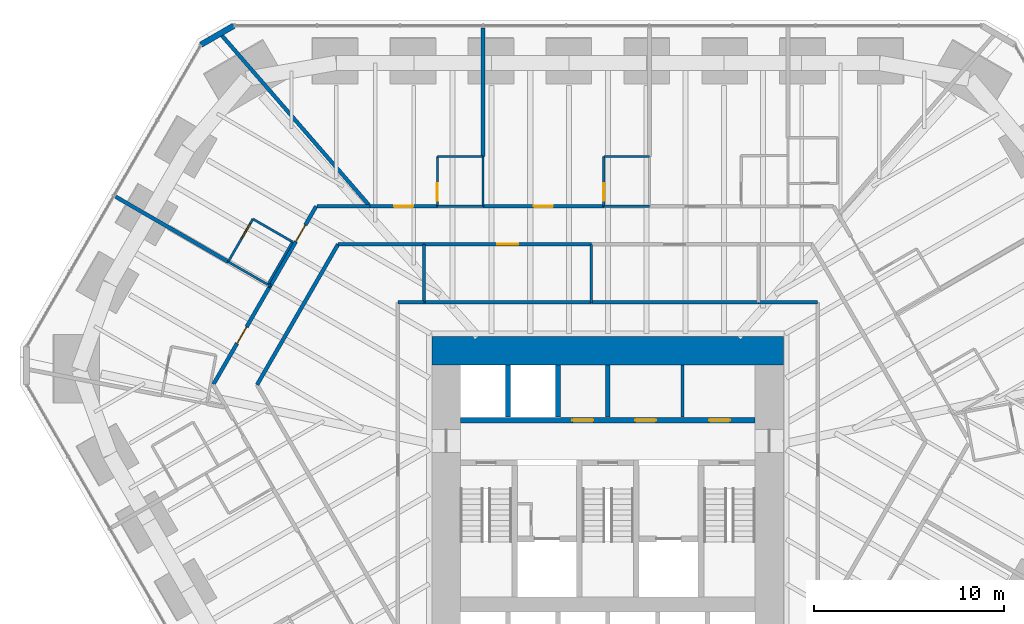
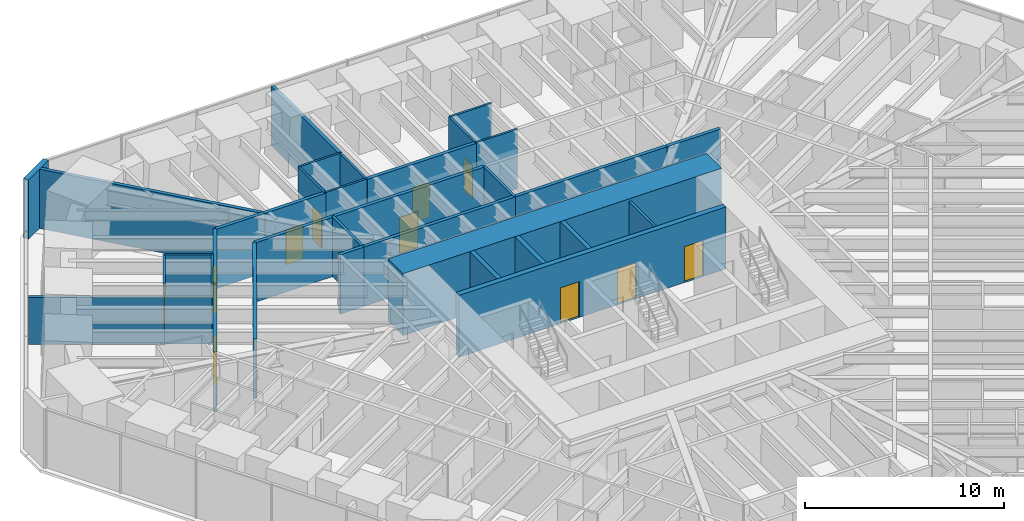
# One storey, part 14 of 17: 36 walls, 11 doors, 11 openings.
"""IFC4 building model written with IfcOpenShell, lengths in metres."""

from ifc_helpers import new_model, si_unit, direction, frame, frame_2d, origin, place, context, subcontext, project, spatial, rectangle, extrude, material, layer, layer_set, type_object, element, fill, save


model = new_model("IFC4")

# Units and contexts
model_context = context("Model", 3, precision=1e-05, world=origin(), true_north=direction((0.0, 1.0)))
body_context = subcontext(model_context, "Body", "Model", "MODEL_VIEW")
ifc_project = project(units=[si_unit("LENGTHUNIT", "METRE"), si_unit("AREAUNIT", "SQUARE_METRE"), si_unit("VOLUMEUNIT", "CUBIC_METRE"), si_unit("PLANEANGLEUNIT", "RADIAN"), si_unit("MASSUNIT", "GRAM", prefix="KILO")], contexts=[model_context])

# Site, building, storey
site_placement = place(None, origin())
site = spatial("IfcSite", under=ifc_project, at=site_placement, CompositionType="ELEMENT")
building_placement = place(site_placement, origin())
building = spatial("IfcBuilding", under=site, at=building_placement, Name="Sandreach Pilgrim Tower", CompositionType="ELEMENT")
storey_placement = place(building_placement, frame((0.0, 0.0, 72.39990234375)))
storey = spatial("IfcBuildingStorey", under=building, at=storey_placement, Name="L17", CompositionType="ELEMENT", Elevation=72.39990234375)

# Walls
ifc_material_1 = material(Name="Gypsum board on steel studs", Category="steel")
ifc_layer_1 = layer(ifc_material_1, 0.14990234375)
ifc_layer_set_1 = layer_set([ifc_layer_1], Name="Back of house wall 150")
wall_type_1 = type_object("IfcWallType", Name="Back of house wall 150", PredefinedType="PARTITIONING", material=ifc_layer_set_1)
for number, where, z_axis, x_axis, name in (
    (1, (-9.659912109375, 12.449951171875, 0.0), (0.0, 0.0, 1.0), (0.0, -1.0, 0.0), "Back of house wall L17-047"),
    (2, (-0.8701171875, 12.449951171875, 0.0), (0.0, 0.0, 1.0), (0.0, -1.0, 0.0), "Back of house wall L17-064"),
):
    element("IfcWall", number, at=place(storey_placement, frame(where, z_axis=z_axis, x_axis=x_axis)), inside=storey, type_object=wall_type_1, Name=name, PredefinedType="PARTITIONING", context=body_context, shape_type="SweptSolid", body=[
        extrude(rectangle(XDim=3.050048828125, YDim=0.14990234375, at=frame_2d((1.52490234375, 0.0))), origin(), (0.0, 0.0, 1.0), 3.64013671875),
    ])
wall_1_placement = place(storey_placement, frame((3.9375, 3.35009765625, 0.0), z_axis=(0.0, 0.0, 1.0), x_axis=(0.0, 1.0, 0.0)))
element("IfcWall", 3, at=wall_1_placement, inside=storey, type_object=wall_type_1, Name="Core room partition L17 1", PredefinedType="PARTITIONING", context=body_context, shape_type="SweptSolid", body=[
    extrude(rectangle(XDim=2.75, YDim=0.14990234375, at=frame_2d((1.375, 0.0))), origin(), (0.0, 0.0, 1.0), 3.64013671875),
])
ifc_material_2 = material(Name="Moisture-resistant gypsum board on steel studs", Category="steel")
ifc_layer_2 = layer(ifc_material_2, 0.1201171875)
ifc_layer_set_2 = layer_set([ifc_layer_2], Name="Bathroom partition 120")
wall_type_2 = type_object("IfcWallType", Name="Bathroom partition 120", PredefinedType="PARTITIONING", material=ifc_layer_set_2)
wall_2_placement = place(storey_placement, frame((-19.969970703125, 11.530029296875, 0.0), z_axis=(0.0, 0.0, 1.0), x_axis=(0.866177122335, -0.499737123639, 0.0)))
element("IfcWall", 4, at=wall_2_placement, inside=storey, type_object=wall_type_2, Name="Bathroom partition L17-020", PredefinedType="PARTITIONING", context=body_context, shape_type="SweptSolid", body=[
    extrude(rectangle(XDim=2.401123046875, YDim=0.1201171875, at=frame_2d((1.20068359375, 0.0))), origin(), (0.0, 0.0, 1.0), 2.8603515625),
])

# Wall, opening, door
wall_3_placement = place(storey_placement, frame((-18.669921875, 13.780029296875, 0.0), z_axis=(0.0, 0.0, 1.0), x_axis=(-0.500291685314, -0.865856933682, 0.0)))
wall_3 = element("IfcWall", 5, at=wall_3_placement, inside=storey, type_object=wall_type_2, Name="Bathroom partition L17-023", PredefinedType="PARTITIONING", context=body_context, shape_type="SweptSolid", body=[
    extrude(rectangle(XDim=2.5986328125, YDim=0.1201171875, at=frame_2d((1.29931640625, 0.0))), origin(), (0.0, 0.0, 1.0), 3.64013671875),
])
opening_1_placement = place(wall_3_placement, frame((0.300048828125, 0.0, 0.0)))
opening_1 = element("IfcOpeningElement", 6, at=opening_1_placement, cuts=wall_3, Name="Opening D09-18B", PredefinedType="OPENING", context=body_context, shape_type="SweptSolid", body=[
    extrude(rectangle(XDim=0.89990234375, YDim=2.030029296875, at=frame_2d((0.449951171875, 1.01513671875))), frame((0.0, 0.06005859375, 0.0), z_axis=(0.0, -1.0, 0.0), x_axis=(1.0, 0.0, 0.0)), (0.0, 0.0, 1.0), 0.1201171875),
])
ifc_material_3 = material(Name="Timber door, steel frame", Category="steel")
door_type_1 = type_object("IfcDoorType", Name="Bathroom door", OperationType="SINGLE_SWING_LEFT", PredefinedType="DOOR", material=ifc_material_3)
door_1_placement = place(opening_1_placement, origin())
door_1 = element("IfcDoor", 7, at=door_1_placement, inside=storey, type_object=door_type_1, Name="Door 1718B", OperationType="SINGLE_SWING_LEFT", OverallHeight=2.030029296875, OverallWidth=0.89990234375, PredefinedType="DOOR", context=body_context, shape_type="SweptSolid", body=[
    extrude(rectangle(XDim=0.89990234375, YDim=2.030029296875, at=frame_2d((0.449951171875, 1.01513671875))), frame((0.0, 0.02490234375, 0.0), z_axis=(0.0, -1.0, 0.0), x_axis=(1.0, 0.0, 0.0)), (0.0, 0.0, 1.0), 0.050048828125),
])
fill(opening_1, door_1)

# Walls
wall_4_placement = place(storey_placement, frame((-17.889892578125, 10.330078125, 0.0), z_axis=(0.0, 0.0, 1.0), x_axis=(0.500221244143, 0.865897630733, 0.0)))
element("IfcWall", 8, at=wall_4_placement, inside=storey, type_object=wall_type_2, Name="Bathroom partition L17-025", PredefinedType="PARTITIONING", context=body_context, shape_type="SweptSolid", body=[
    extrude(rectangle(XDim=2.598388671875, YDim=0.1201171875, at=frame_2d((1.29931640625, 0.0))), origin(), (0.0, 0.0, 1.0), 3.64013671875),
])
wall_5_placement = place(storey_placement, frame((-16.590087890625, 12.580078125, 0.0), z_axis=(0.0, 0.0, 1.0), x_axis=(-0.866177122335, 0.499737123639, 0.0)))
element("IfcWall", 9, at=wall_5_placement, inside=storey, type_object=wall_type_2, Name="Bathroom partition L17-032", PredefinedType="PARTITIONING", context=body_context, shape_type="SweptSolid", body=[
    extrude(rectangle(XDim=2.401123046875, YDim=0.1201171875, at=frame_2d((1.20068359375, 0.0))), origin(), (0.0, 0.0, 1.0), 3.64013671875),
])

# Wall, opening, door
wall_6_placement = place(storey_placement, frame((-8.9599609375, 17.070068359375, 0.0), z_axis=(0.0, 0.0, 1.0), x_axis=(0.0, -1.0, 0.0)))
wall_6 = element("IfcWall", 10, at=wall_6_placement, inside=storey, type_object=wall_type_2, Name="Bathroom partition L17-050", PredefinedType="PARTITIONING", context=body_context, shape_type="SweptSolid", body=[
    extrude(rectangle(XDim=2.6201171875, YDim=0.1201171875, at=frame_2d((1.31005859375, 0.0))), origin(), (0.0, 0.0, 1.0), 3.64013671875),
])
opening_2_placement = place(wall_6_placement, frame((1.419921875, 0.0, 0.0)))
opening_2 = element("IfcOpeningElement", 11, at=opening_2_placement, cuts=wall_6, Name="Opening D09-01B", PredefinedType="OPENING", context=body_context, shape_type="SweptSolid", body=[
    extrude(rectangle(XDim=0.89990234375, YDim=2.030029296875, at=frame_2d((0.449951171875, 1.01513671875))), frame((0.0, 0.06005859375, 0.0), z_axis=(0.0, -1.0, 0.0), x_axis=(1.0, 0.0, 0.0)), (0.0, 0.0, 1.0), 0.1201171875),
])
door_2_placement = place(opening_2_placement, origin())
door_2 = element("IfcDoor", 12, at=door_2_placement, inside=storey, type_object=door_type_1, Name="Door 1701B", OperationType="SINGLE_SWING_RIGHT", OverallHeight=2.030029296875, OverallWidth=0.89990234375, PredefinedType="DOOR", context=body_context, shape_type="SweptSolid", body=[
    extrude(rectangle(XDim=0.89990234375, YDim=2.030029296875, at=frame_2d((0.449951171875, 1.01513671875))), frame((0.0, 0.02490234375, 0.0), z_axis=(0.0, -1.0, 0.0), x_axis=(1.0, 0.0, 0.0)), (0.0, 0.0, 1.0), 0.050048828125),
])
fill(opening_2, door_2)

# Walls
for number, where, z_axis, x_axis, name in (
    (13, (-6.56005859375, 14.449951171875, 0.0), (0.0, 0.0, 1.0), (-1.0, 0.0, 0.0), "Bathroom partition L17-053"),
    (14, (-6.56005859375, 17.070068359375, 0.0), (0.0, 0.0, 1.0), (-1.0, 0.0, 0.0), "Bathroom partition L17-054"),
):
    element("IfcWall", number, at=place(storey_placement, frame(where, z_axis=z_axis, x_axis=x_axis)), inside=storey, type_object=wall_type_2, Name=name, PredefinedType="PARTITIONING", context=body_context, shape_type="SweptSolid", body=[
        extrude(rectangle(XDim=2.39990234375, YDim=0.1201171875, at=frame_2d((1.199951171875, 0.0))), origin(), (0.0, 0.0, 1.0), 3.64013671875),
    ])
wall_7_placement = place(storey_placement, frame((-6.56005859375, 17.070068359375, 0.0), z_axis=(0.0, 0.0, 1.0), x_axis=(0.0, -1.0, 0.0)))
element("IfcWall", 15, at=wall_7_placement, inside=storey, type_object=wall_type_2, Name="Bathroom partition L17-055", PredefinedType="PARTITIONING", context=body_context, shape_type="SweptSolid", body=[
    extrude(rectangle(XDim=2.6201171875, YDim=0.1201171875, at=frame_2d((1.31005859375, 0.0))), origin(), (0.0, 0.0, 1.0), 3.64013671875),
])

# Wall, opening, door
wall_8_placement = place(storey_placement, frame((-0.2099609375, 17.070068359375, 0.0), z_axis=(0.0, 0.0, 1.0), x_axis=(0.0, -1.0, 0.0)))
wall_8 = element("IfcWall", 16, at=wall_8_placement, inside=storey, type_object=wall_type_2, Name="Bathroom partition L17-067", PredefinedType="PARTITIONING", context=body_context, shape_type="SweptSolid", body=[
    extrude(rectangle(XDim=2.6201171875, YDim=0.1201171875, at=frame_2d((1.31005859375, 0.0))), origin(), (0.0, 0.0, 1.0), 3.64013671875),
])
opening_3_placement = place(wall_8_placement, frame((1.419921875, 0.0, 0.0)))
opening_3 = element("IfcOpeningElement", 17, at=opening_3_placement, cuts=wall_8, Name="Opening D09-02B", PredefinedType="OPENING", context=body_context, shape_type="SweptSolid", body=[
    extrude(rectangle(XDim=0.89990234375, YDim=2.030029296875, at=frame_2d((0.449951171875, 1.01513671875))), frame((0.0, 0.06005859375, 0.0), z_axis=(0.0, -1.0, 0.0), x_axis=(1.0, 0.0, 0.0)), (0.0, 0.0, 1.0), 0.1201171875),
])
door_3_placement = place(opening_3_placement, origin())
door_3 = element("IfcDoor", 18, at=door_3_placement, inside=storey, type_object=door_type_1, Name="Door 1702B", OperationType="SINGLE_SWING_RIGHT", OverallHeight=2.030029296875, OverallWidth=0.89990234375, PredefinedType="DOOR", context=body_context, shape_type="SweptSolid", body=[
    extrude(rectangle(XDim=0.89990234375, YDim=2.030029296875, at=frame_2d((0.449951171875, 1.01513671875))), frame((0.0, 0.02490234375, 0.0), z_axis=(0.0, -1.0, 0.0), x_axis=(1.0, 0.0, 0.0)), (0.0, 0.0, 1.0), 0.050048828125),
])
fill(opening_3, door_3)

# Walls
for number, where, z_axis, x_axis, name in (
    (19, (2.18994140625, 14.449951171875, 0.0), (0.0, 0.0, 1.0), (-1.0, 0.0, 0.0), "Bathroom partition L17-077"),
    (20, (2.18994140625, 17.070068359375, 0.0), (0.0, 0.0, 1.0), (-1.0, 0.0, 0.0), "Bathroom partition L17-078"),
):
    element("IfcWall", number, at=place(storey_placement, frame(where, z_axis=z_axis, x_axis=x_axis)), inside=storey, type_object=wall_type_2, Name=name, PredefinedType="PARTITIONING", context=body_context, shape_type="SweptSolid", body=[
        extrude(rectangle(XDim=2.39990234375, YDim=0.1201171875, at=frame_2d((1.199951171875, 0.0))), origin(), (0.0, 0.0, 1.0), 3.64013671875),
    ])

# Wall, openings, doors
ifc_material_4 = material(Name="Concrete 10000 psi", Category="concrete")
ifc_layer_3 = layer(ifc_material_4, 0.300048828125)
ifc_layer_set_3 = layer_set([ifc_layer_3], Name="Core inner wall 300")
wall_type_3 = type_object("IfcWallType", Name="Core inner wall 300", PredefinedType="SHEAR", material=ifc_layer_set_3)
wall_9_placement = place(storey_placement, frame((-7.75, 3.199951171875, 0.0), z_axis=(0.0, 0.0, 1.0), x_axis=(1.0, 0.0, 0.0)))
wall_9 = element("IfcWall", 21, at=wall_9_placement, inside=storey, type_object=wall_type_3, Name="Core wall PN L17", PredefinedType="SHEAR", context=body_context, shape_type="SweptSolid", body=[
    extrude(rectangle(XDim=15.5, YDim=0.300048828125, at=frame_2d((7.75, 0.0))), origin(), (0.0, 0.0, 1.0), 3.800048828125),
])
opening_4_placement = place(wall_9_placement, frame((5.887451171875, 0.0, 0.0)))
opening_4 = element("IfcOpeningElement", 22, at=opening_4_placement, cuts=wall_9, Name="Opening D11L", PredefinedType="OPENING", context=body_context, shape_type="SweptSolid", body=[
    extrude(rectangle(XDim=1.10009765625, YDim=2.199951171875, at=frame_2d((0.550048828125, 1.10009765625))), frame((0.0, 0.14990234375, 0.0), z_axis=(0.0, -1.0, 0.0), x_axis=(1.0, 0.0, 0.0)), (0.0, 0.0, 1.0), 0.300048828125),
])
opening_5_placement = place(wall_9_placement, frame((9.19384765625, 0.0, 0.0)))
opening_5 = element("IfcOpeningElement", 23, at=opening_5_placement, cuts=wall_9, Name="Opening D11L", PredefinedType="OPENING", context=body_context, shape_type="SweptSolid", body=[
    extrude(rectangle(XDim=1.10009765625, YDim=2.199951171875, at=frame_2d((0.550048828125, 1.10009765625))), frame((0.0, 0.14990234375, 0.0), z_axis=(0.0, -1.0, 0.0), x_axis=(1.0, 0.0, 0.0)), (0.0, 0.0, 1.0), 0.300048828125),
])
opening_6_placement = place(wall_9_placement, frame((13.081298828125, 0.0, 0.0)))
opening_6 = element("IfcOpeningElement", 24, at=opening_6_placement, cuts=wall_9, Name="Opening D11L", PredefinedType="OPENING", context=body_context, shape_type="SweptSolid", body=[
    extrude(rectangle(XDim=1.10009765625, YDim=2.199951171875, at=frame_2d((0.550048828125, 1.10009765625))), frame((0.0, 0.14990234375, 0.0), z_axis=(0.0, -1.0, 0.0), x_axis=(1.0, 0.0, 0.0)), (0.0, 0.0, 1.0), 0.300048828125),
])
ifc_material_5 = material(Name="Steel door and frame, smoke seals", Category="steel")
door_type_2 = type_object("IfcDoorType", Name="Core room door", OperationType="SINGLE_SWING_LEFT", PredefinedType="DOOR", material=ifc_material_5)
door_4_placement = place(opening_4_placement, origin())
door_4 = element("IfcDoor", 25, at=door_4_placement, inside=storey, type_object=door_type_2, Name="Door vending and ice room 17K1", OperationType="SINGLE_SWING_LEFT", OverallHeight=2.199951171875, OverallWidth=1.10009765625, PredefinedType="DOOR", context=body_context, shape_type="SweptSolid", body=[
    extrude(rectangle(XDim=1.10009765625, YDim=2.199951171875, at=frame_2d((0.550048828125, 1.10009765625))), frame((0.0, 0.02490234375, 0.0), z_axis=(0.0, -1.0, 0.0), x_axis=(1.0, 0.0, 0.0)), (0.0, 0.0, 1.0), 0.050048828125),
])
fill(opening_4, door_4)
door_5_placement = place(opening_5_placement, origin())
door_5 = element("IfcDoor", 26, at=door_5_placement, inside=storey, type_object=door_type_2, Name="Door linen store 17K2", OperationType="SINGLE_SWING_RIGHT", OverallHeight=2.199951171875, OverallWidth=1.10009765625, PredefinedType="DOOR", context=body_context, shape_type="SweptSolid", body=[
    extrude(rectangle(XDim=1.10009765625, YDim=2.199951171875, at=frame_2d((0.550048828125, 1.10009765625))), frame((0.0, 0.02490234375, 0.0), z_axis=(0.0, -1.0, 0.0), x_axis=(1.0, 0.0, 0.0)), (0.0, 0.0, 1.0), 0.050048828125),
])
fill(opening_5, door_5)
door_6_placement = place(opening_6_placement, origin())
door_6 = element("IfcDoor", 27, at=door_6_placement, inside=storey, type_object=door_type_2, Name="Door cleaners store 17K3", OperationType="SINGLE_SWING_RIGHT", OverallHeight=2.199951171875, OverallWidth=1.10009765625, PredefinedType="DOOR", context=body_context, shape_type="SweptSolid", body=[
    extrude(rectangle(XDim=1.10009765625, YDim=2.199951171875, at=frame_2d((0.550048828125, 1.10009765625))), frame((0.0, 0.02490234375, 0.0), z_axis=(0.0, -1.0, 0.0), x_axis=(1.0, 0.0, 0.0)), (0.0, 0.0, 1.0), 0.050048828125),
])
fill(opening_6, door_6)

# Wall
ifc_material_6 = material(Name="Concrete 10000 psi", Category="concrete")
ifc_layer_4 = layer(ifc_material_6, 1.5)
ifc_layer_set_4 = layer_set([ifc_layer_4], Name="Core wall 1500")
wall_type_4 = type_object("IfcWallType", Name="Core wall 1500", PredefinedType="SHEAR", material=ifc_layer_set_4)
wall_10_placement = place(storey_placement, frame((-9.25, 6.85009765625, 0.0), z_axis=(0.0, 0.0, 1.0), x_axis=(1.0, 0.0, 0.0)))
element("IfcWall", 28, at=wall_10_placement, inside=storey, type_object=wall_type_4, Name="Core wall N L17", PredefinedType="SHEAR", context=body_context, shape_type="SweptSolid", body=[
    extrude(rectangle(XDim=18.5, YDim=1.5, at=frame_2d((9.25, 0.0))), origin(), (0.0, 0.0, 1.0), 3.800048828125),
])

# Wall, opening, door
ifc_material_7 = material(Name="Gypsum board on steel studs, two layers each side", Category="steel")
ifc_layer_5 = layer(ifc_material_7, 0.199951171875)
ifc_layer_set_5 = layer_set([ifc_layer_5], Name="Corridor wall 200")
wall_type_5 = type_object("IfcWallType", Name="Corridor wall 200", PredefinedType="PARTITIONING", material=ifc_layer_set_5)
wall_11_placement = place(storey_placement, frame((-20.74755859375, 5.08154296875, 0.0), z_axis=(0.0, 0.0, 1.0), x_axis=(0.499925128535, 0.86606862653, 0.0)))
wall_11 = element("IfcWall", 29, at=wall_11_placement, inside=storey, type_object=wall_type_5, Name="Corridor wall L17-015", PredefinedType="PARTITIONING", context=body_context, shape_type="SweptSolid", body=[
    extrude(rectangle(XDim=5.978515625, YDim=0.199951171875, at=frame_2d((2.9892578125, 0.0))), origin(), (0.0, 0.0, 1.0), 3.64013671875),
])
opening_7_placement = place(wall_11_placement, frame((2.489013671875, 0.0, 0.0)))
opening_7 = element("IfcOpeningElement", 30, at=opening_7_placement, cuts=wall_11, Name="Opening D10-17", PredefinedType="OPENING", context=body_context, shape_type="SweptSolid", body=[
    extrude(rectangle(XDim=1.0, YDim=2.1298828125, at=frame_2d((0.5, 1.06494140625))), frame((0.0, 0.10009765625, 0.0), z_axis=(0.0, -1.0, 0.0), x_axis=(1.0, 0.0, 0.0)), (0.0, 0.0, 1.0), 0.199951171875),
])
ifc_material_8 = material(Name="Steel door and frame", Category="steel")
door_type_3 = type_object("IfcDoorType", Name="Guest room entry door", OperationType="SINGLE_SWING_LEFT", PredefinedType="DOOR", material=ifc_material_8)
door_7_placement = place(opening_7_placement, origin())
door_7 = element("IfcDoor", 31, at=door_7_placement, inside=storey, type_object=door_type_3, Name="Door 1717", OperationType="SINGLE_SWING_LEFT", OverallHeight=2.1298828125, OverallWidth=1.0, PredefinedType="DOOR", context=body_context, shape_type="SweptSolid", body=[
    extrude(rectangle(XDim=1.0, YDim=2.1298828125, at=frame_2d((0.5, 1.06494140625))), frame((0.0, 0.02490234375, 0.0), z_axis=(0.0, -1.0, 0.0), x_axis=(1.0, 0.0, 0.0)), (0.0, 0.0, 1.0), 0.050048828125),
])
fill(opening_7, door_7)

# Wall
wall_12_placement = place(storey_placement, frame((-18.449951171875, 5.06005859375, 0.0), z_axis=(0.0, 0.0, 1.0), x_axis=(0.499424260127, 0.866357552282, 0.0)))
element("IfcWall", 32, at=wall_12_placement, inside=storey, type_object=wall_type_5, Name="Corridor wall L17-024", PredefinedType="PARTITIONING", context=body_context, shape_type="SweptSolid", body=[
    extrude(rectangle(XDim=8.52978515625, YDim=0.199951171875, at=frame_2d((4.264892578125, 0.0))), origin(), (0.0, 0.0, 1.0), 3.64013671875),
])

# Wall, opening, door
wall_13_placement = place(storey_placement, frame((-17.7587890625, 10.25927734375, 0.0), z_axis=(0.0, 0.0, 1.0), x_axis=(0.499878240725, 0.866095690123, 0.0)))
wall_13 = element("IfcWall", 33, at=wall_13_placement, inside=storey, type_object=wall_type_5, Name="Corridor wall L17-027", PredefinedType="PARTITIONING", context=body_context, shape_type="SweptSolid", body=[
    extrude(rectangle(XDim=4.838623046875, YDim=0.199951171875, at=frame_2d((2.41943359375, 0.0))), origin(), (0.0, 0.0, 1.0), 3.64013671875),
])
opening_8_placement = place(wall_13_placement, frame((2.699951171875, 0.0, 0.0)))
opening_8 = element("IfcOpeningElement", 34, at=opening_8_placement, cuts=wall_13, Name="Opening D10-18", PredefinedType="OPENING", context=body_context, shape_type="SweptSolid", body=[
    extrude(rectangle(XDim=1.0, YDim=2.1298828125, at=frame_2d((0.5, 1.06494140625))), frame((0.0, 0.10009765625, 0.0), z_axis=(0.0, -1.0, 0.0), x_axis=(1.0, 0.0, 0.0)), (0.0, 0.0, 1.0), 0.199951171875),
])
door_8_placement = place(opening_8_placement, origin())
door_8 = element("IfcDoor", 35, at=door_8_placement, inside=storey, type_object=door_type_3, Name="Door 1718", OperationType="SINGLE_SWING_RIGHT", OverallHeight=2.1298828125, OverallWidth=1.0, PredefinedType="DOOR", context=body_context, shape_type="SweptSolid", body=[
    extrude(rectangle(XDim=1.0, YDim=2.1298828125, at=frame_2d((0.5, 1.06494140625))), frame((0.0, 0.02490234375, 0.0), z_axis=(0.0, -1.0, 0.0), x_axis=(1.0, 0.0, 0.0)), (0.0, 0.0, 1.0), 0.050048828125),
])
fill(opening_8, door_8)

# Walls
wall_14_placement = place(storey_placement, frame((-14.18994140625, 12.449951171875, 0.0), z_axis=(0.0, 0.0, 1.0), x_axis=(1.0, 0.0, 0.0)))
element("IfcWall", 36, at=wall_14_placement, inside=storey, type_object=wall_type_5, Name="Corridor wall L17-035", PredefinedType="PARTITIONING", context=body_context, shape_type="SweptSolid", body=[
    extrude(rectangle(XDim=4.530029296875, YDim=0.199951171875, at=frame_2d((2.26513671875, 0.0))), origin(), (0.0, 0.0, 1.0), 3.64013671875),
])
wall_15_placement = place(storey_placement, frame((-12.510009765625, 14.449951171875, 0.0), z_axis=(0.0, 0.0, 1.0), x_axis=(-1.0, 0.0, 0.0)))
element("IfcWall", 37, at=wall_15_placement, inside=storey, type_object=wall_type_5, Name="Corridor wall L17-038", PredefinedType="PARTITIONING", context=body_context, shape_type="SweptSolid", body=[
    extrude(rectangle(XDim=2.7900390625, YDim=0.199951171875, at=frame_2d((1.39501953125, 0.0))), origin(), (0.0, 0.0, 1.0), 3.64013671875),
])
wall_16_placement = place(storey_placement, frame((-9.659912109375, 9.39990234375, 0.0), z_axis=(0.0, 0.0, 1.0), x_axis=(-1.0, 0.0, 0.0)))
element("IfcWall", 38, at=wall_16_placement, inside=storey, type_object=wall_type_5, Name="Corridor wall L17-046", PredefinedType="PARTITIONING", context=body_context, shape_type="SweptSolid", body=[
    extrude(rectangle(XDim=1.380126953125, YDim=0.199951171875, at=frame_2d((0.68994140625, 0.0))), origin(), (0.0, 0.0, 1.0), 3.64013671875),
])

# Wall, opening, door
wall_17_placement = place(storey_placement, frame((-9.659912109375, 12.449951171875, 0.0), z_axis=(0.0, 0.0, 1.0), x_axis=(1.0, 0.0, 0.0)))
wall_17 = element("IfcWall", 39, at=wall_17_placement, inside=storey, type_object=wall_type_5, Name="Corridor wall L17-048", PredefinedType="PARTITIONING", context=body_context, shape_type="SweptSolid", body=[
    extrude(rectangle(XDim=8.789794921875, YDim=0.199951171875, at=frame_2d((4.39501953125, 0.0))), origin(), (0.0, 0.0, 1.0), 3.64013671875),
])
opening_9_placement = place(wall_17_placement, frame((3.844970703125, 0.0, 0.0)))
opening_9 = element("IfcOpeningElement", 40, at=opening_9_placement, cuts=wall_17, Name="Opening D11H-M02", PredefinedType="OPENING", context=body_context, shape_type="SweptSolid", body=[
    extrude(rectangle(XDim=1.10009765625, YDim=2.199951171875, at=frame_2d((0.550048828125, 1.10009765625))), frame((0.0, 0.10009765625, 0.0), z_axis=(0.0, -1.0, 0.0), x_axis=(1.0, 0.0, 0.0)), (0.0, 0.0, 1.0), 0.199951171875),
])
ifc_material_9 = material(Name="Steel door and frame", Category="steel")
door_type_4 = type_object("IfcDoorType", Name="Back of house door", OperationType="SINGLE_SWING_LEFT", PredefinedType="DOOR", material=ifc_material_9)
door_9_placement = place(opening_9_placement, origin())
door_9 = element("IfcDoor", 41, at=door_9_placement, inside=storey, type_object=door_type_4, Name="Door 17M02", OperationType="SINGLE_SWING_LEFT", OverallHeight=2.199951171875, OverallWidth=1.10009765625, PredefinedType="DOOR", context=body_context, shape_type="SweptSolid", body=[
    extrude(rectangle(XDim=1.10009765625, YDim=2.199951171875, at=frame_2d((0.550048828125, 1.10009765625))), frame((0.0, 0.02490234375, 0.0), z_axis=(0.0, -1.0, 0.0), x_axis=(1.0, 0.0, 0.0)), (0.0, 0.0, 1.0), 0.050048828125),
])
fill(opening_9, door_9)

wall_18_placement = place(storey_placement, frame((-8.9599609375, 14.449951171875, 0.0), z_axis=(0.0, 0.0, 1.0), x_axis=(-1.0, 0.0, 0.0)))
wall_18 = element("IfcWall", 42, at=wall_18_placement, inside=storey, type_object=wall_type_5, Name="Corridor wall L17-049", PredefinedType="PARTITIONING", context=body_context, shape_type="SweptSolid", body=[
    extrude(rectangle(XDim=3.550048828125, YDim=0.199951171875, at=frame_2d((1.77490234375, 0.0))), origin(), (0.0, 0.0, 1.0), 3.64013671875),
])
opening_10_placement = place(wall_18_placement, frame((1.27490234375, 0.0, 0.0)))
opening_10 = element("IfcOpeningElement", 43, at=opening_10_placement, cuts=wall_18, Name="Opening D10-01", PredefinedType="OPENING", context=body_context, shape_type="SweptSolid", body=[
    extrude(rectangle(XDim=1.0, YDim=2.1298828125, at=frame_2d((0.5, 1.06494140625))), frame((0.0, 0.10009765625, 0.0), z_axis=(0.0, -1.0, 0.0), x_axis=(1.0, 0.0, 0.0)), (0.0, 0.0, 1.0), 0.199951171875),
])
door_10_placement = place(opening_10_placement, origin())
door_10 = element("IfcDoor", 44, at=door_10_placement, inside=storey, type_object=door_type_3, Name="Door 1701", OperationType="SINGLE_SWING_LEFT", OverallHeight=2.1298828125, OverallWidth=1.0, PredefinedType="DOOR", context=body_context, shape_type="SweptSolid", body=[
    extrude(rectangle(XDim=1.0, YDim=2.1298828125, at=frame_2d((0.5, 1.06494140625))), frame((0.0, 0.02490234375, 0.0), z_axis=(0.0, -1.0, 0.0), x_axis=(1.0, 0.0, 0.0)), (0.0, 0.0, 1.0), 0.050048828125),
])
fill(opening_10, door_10)

# Wall
wall_19_placement = place(storey_placement, frame((-0.8701171875, 9.39990234375, 0.0), z_axis=(0.0, 0.0, 1.0), x_axis=(-1.0, 0.0, 0.0)))
element("IfcWall", 45, at=wall_19_placement, inside=storey, type_object=wall_type_5, Name="Corridor wall L17-063", PredefinedType="PARTITIONING", context=body_context, shape_type="SweptSolid", body=[
    extrude(rectangle(XDim=8.789794921875, YDim=0.199951171875, at=frame_2d((4.39501953125, 0.0))), origin(), (0.0, 0.0, 1.0), 3.64013671875),
])

# Wall, opening, door
wall_20_placement = place(storey_placement, frame((-0.2099609375, 14.449951171875, 0.0), z_axis=(0.0, 0.0, 1.0), x_axis=(-1.0, 0.0, 0.0)))
wall_20 = element("IfcWall", 46, at=wall_20_placement, inside=storey, type_object=wall_type_5, Name="Corridor wall L17-066", PredefinedType="PARTITIONING", context=body_context, shape_type="SweptSolid", body=[
    extrude(rectangle(XDim=6.35009765625, YDim=0.199951171875, at=frame_2d((3.175048828125, 0.0))), origin(), (0.0, 0.0, 1.0), 3.64013671875),
])
opening_11_placement = place(wall_20_placement, frame((2.675048828125, 0.0, 0.0)))
opening_11 = element("IfcOpeningElement", 47, at=opening_11_placement, cuts=wall_20, Name="Opening D10-02", PredefinedType="OPENING", context=body_context, shape_type="SweptSolid", body=[
    extrude(rectangle(XDim=1.0, YDim=2.1298828125, at=frame_2d((0.5, 1.06494140625))), frame((0.0, 0.10009765625, 0.0), z_axis=(0.0, -1.0, 0.0), x_axis=(1.0, 0.0, 0.0)), (0.0, 0.0, 1.0), 0.199951171875),
])
door_11_placement = place(opening_11_placement, origin())
door_11 = element("IfcDoor", 48, at=door_11_placement, inside=storey, type_object=door_type_3, Name="Door 1702", OperationType="SINGLE_SWING_LEFT", OverallHeight=2.1298828125, OverallWidth=1.0, PredefinedType="DOOR", context=body_context, shape_type="SweptSolid", body=[
    extrude(rectangle(XDim=1.0, YDim=2.1298828125, at=frame_2d((0.5, 1.06494140625))), frame((0.0, 0.02490234375, 0.0), z_axis=(0.0, -1.0, 0.0), x_axis=(1.0, 0.0, 0.0)), (0.0, 0.0, 1.0), 0.050048828125),
])
fill(opening_11, door_11)

# Walls
wall_21_placement = place(storey_placement, frame((7.929931640625, 9.39990234375, 0.0), z_axis=(0.0, 0.0, 1.0), x_axis=(-1.0, 0.0, 0.0)))
element("IfcWall", 49, at=wall_21_placement, inside=storey, type_object=wall_type_5, Name="Corridor wall L17-097", PredefinedType="PARTITIONING", context=body_context, shape_type="SweptSolid", body=[
    extrude(rectangle(XDim=8.800048828125, YDim=0.199951171875, at=frame_2d((4.39990234375, 0.0))), origin(), (0.0, 0.0, 1.0), 3.64013671875),
])
wall_22_placement = place(storey_placement, frame((11.0400390625, 9.39990234375, 0.0), z_axis=(0.0, 0.0, 1.0), x_axis=(-1.0, 0.0, 0.0)))
element("IfcWall", 50, at=wall_22_placement, inside=storey, type_object=wall_type_5, Name="Corridor wall L17-116", PredefinedType="PARTITIONING", context=body_context, shape_type="SweptSolid", body=[
    extrude(rectangle(XDim=3.110107421875, YDim=0.199951171875, at=frame_2d((1.55517578125, 0.0))), origin(), (0.0, 0.0, 1.0), 3.64013671875),
])
ifc_material_10 = material(Name="Double steel stud acoustic wall, gypsum board", Category="steel")
ifc_layer_6 = layer(ifc_material_10, 0.199951171875)
ifc_layer_set_6 = layer_set([ifc_layer_6], Name="Party wall 200")
wall_type_6 = type_object("IfcWallType", Name="Party wall 200", PredefinedType="PARTITIONING", material=ifc_layer_set_6)
wall_23_placement = place(storey_placement, frame((-25.88623046875, 14.949951171875, 0.0), z_axis=(0.0, 0.0, 1.0), x_axis=(0.865761194987, -0.500457344092, 0.0)))
element("IfcWall", 51, at=wall_23_placement, inside=storey, type_object=wall_type_6, Name="Party wall L17-003", PredefinedType="PARTITIONING", context=body_context, shape_type="SweptSolid", body=[
    extrude(rectangle(XDim=6.83349609375, YDim=0.199951171875, at=frame_2d((3.416748046875, 0.0))), origin(), (0.0, 0.0, 1.0), 2.8603515625),
])
wall_24_placement = place(storey_placement, frame((-17.837158203125, 10.301513671875, 0.0), z_axis=(0.0, 0.0, 1.0), x_axis=(0.880650010303, -0.473767410606, 0.0)))
element("IfcWall", 52, at=wall_24_placement, inside=storey, type_object=wall_type_6, Name="Party wall L17-026", PredefinedType="PARTITIONING", context=body_context, shape_type="SweptSolid", body=[
    extrude(rectangle(XDim=0.087646484375, YDim=0.199951171875, at=frame_2d((0.0439453125, 0.0))), origin(), (0.0, 0.0, 1.0), 3.64013671875),
])
wall_25_placement = place(storey_placement, frame((-12.578857421875, 14.529296875, 0.0), z_axis=(0.0, 0.0, 1.0), x_axis=(-0.655211574416, 0.755445426719, 0.0)))
element("IfcWall", 53, at=wall_25_placement, inside=storey, type_object=wall_type_6, Name="Party wall L17-037", PredefinedType="PARTITIONING", context=body_context, shape_type="SweptSolid", body=[
    extrude(rectangle(XDim=11.9375, YDim=0.199951171875, at=frame_2d((5.96875, 0.0))), origin(), (0.0, 0.0, 1.0), 3.64013671875),
])
wall_26_placement = place(storey_placement, frame((-6.56005859375, 23.830078125, 0.0), z_axis=(0.0, 0.0, 1.0), x_axis=(0.0, -1.0, 0.0)))
element("IfcWall", 54, at=wall_26_placement, inside=storey, type_object=wall_type_6, Name="Party wall L17-056", PredefinedType="PARTITIONING", context=body_context, shape_type="SweptSolid", body=[
    extrude(rectangle(XDim=6.760009765625, YDim=0.199951171875, at=frame_2d((3.3798828125, 0.0))), origin(), (0.0, 0.0, 1.0), 3.64013671875),
])
ifc_material_11 = material(Name="Gypsum shaft wall on steel studs, two layers of shaft liner board", Category="steel")
ifc_layer_7 = layer(ifc_material_11, 0.25)
ifc_layer_set_7 = layer_set([ifc_layer_7], Name="Shaft partition 250")
wall_type_7 = type_object("IfcWallType", Name="Shaft partition 250", PredefinedType="PARTITIONING", material=ifc_layer_set_7)
for number, where, z_axis, x_axis, name in (
    (55, (-5.25, 3.35009765625, 0.0), (0.0, 0.0, 1.0), (0.0, 1.0, 0.0), "Shaft partition NS0 L17"),
    (56, (-2.625, 3.35009765625, 0.0), (0.0, 0.0, 1.0), (0.0, 1.0, 0.0), "Shaft partition NS1 L17"),
    (57, (0.0, 3.35009765625, 0.0), (0.0, 0.0, 1.0), (0.0, 1.0, 0.0), "Shaft partition NS2 L17"),
):
    element("IfcWall", number, at=place(storey_placement, frame(where, z_axis=z_axis, x_axis=x_axis)), inside=storey, type_object=wall_type_7, Name=name, PredefinedType="PARTITIONING", context=body_context, shape_type="SweptSolid", body=[
        extrude(rectangle(XDim=2.75, YDim=0.25, at=frame_2d((1.375, 0.0))), origin(), (0.0, 0.0, 1.0), 3.800048828125),
    ])
ifc_material_12 = material(Name="Terracotta rainscreen on concrete", Category="masonry")
ifc_layer_8 = layer(ifc_material_12, 0.300048828125)
ifc_layer_set_8 = layer_set([ifc_layer_8], Name="Terracotta chamfer pier")
wall_type_8 = type_object("IfcWallType", Name="Terracotta chamfer pier", PredefinedType="SOLIDWALL", material=ifc_layer_set_8)
wall_27_placement = place(storey_placement, frame((-21.404052734375, 22.94873046875, 0.0), z_axis=(0.0, 0.0, 1.0), x_axis=(0.866010750942, 0.50002537861, 0.0)))
element("IfcWall", 58, at=wall_27_placement, inside=storey, type_object=wall_type_8, Name="Chamfer pier L17 NW", PredefinedType="SOLIDWALL", context=body_context, shape_type="SweptSolid", body=[
    extrude(rectangle(XDim=2.0, YDim=0.300048828125, at=frame_2d((1.0, 0.0))), origin(), (0.0, 0.0, 1.0), 3.64013671875),
])

save(model, "model.ifc")
